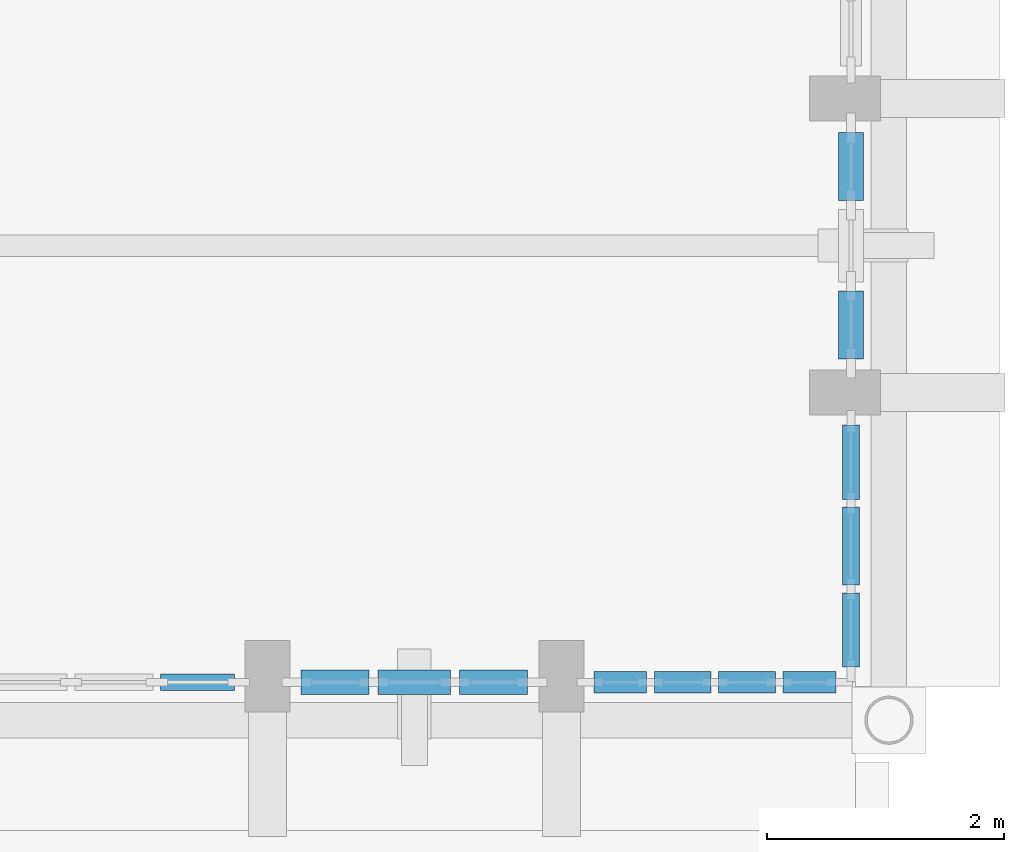
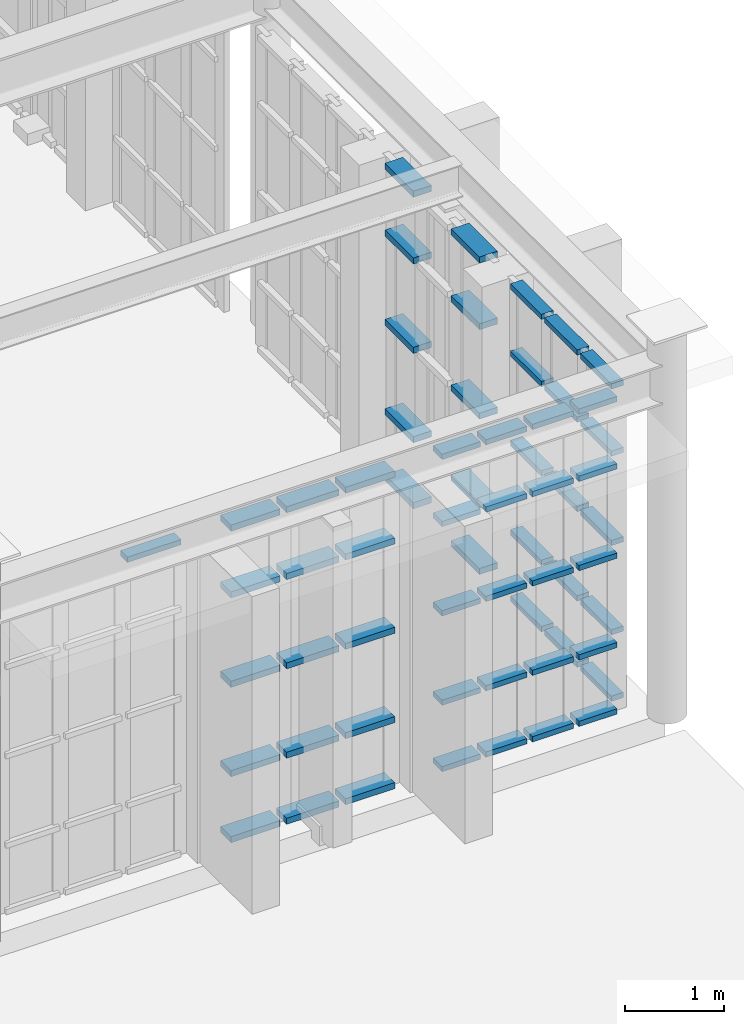
# One storey, part 77 of 155: 61 members, 5 elements without a shape of their own.
"""IFC4 building model written with IfcOpenShell, lengths in metres."""

from ifc_helpers import new_model, si_unit, direction, frame, origin, origin_2d, place, context, subcontext, project, spatial, rectangle, extrude, material, layer, layer_set, material_profile, profile_set, type_object, element, aggregate, save


model = new_model("IFC4")

# Units and contexts
model_context = context("Model", 3, precision=1e-05, world=origin(), true_north=direction((0.0, 1.0)))
body_context = subcontext(model_context, "Body", "Model", "MODEL_VIEW")
ifc_project = project(units=[si_unit("LENGTHUNIT", "METRE"), si_unit("AREAUNIT", "SQUARE_METRE"), si_unit("VOLUMEUNIT", "CUBIC_METRE"), si_unit("PLANEANGLEUNIT", "RADIAN"), si_unit("MASSUNIT", "GRAM", prefix="KILO")], contexts=[model_context])

# Site, building, storey
site_placement = place(None, origin())
site = spatial("IfcSite", under=ifc_project, at=site_placement, CompositionType="ELEMENT")
building_placement = place(site_placement, origin())
building = spatial("IfcBuilding", under=site, at=building_placement, Name="Tazarka Park Arena", CompositionType="ELEMENT")
storey_placement = place(building_placement, frame((0.0, 0.0, 5.39990234375)))
storey = spatial("IfcBuildingStorey", under=building, at=storey_placement, Name="L01", CompositionType="ELEMENT", Elevation=5.39990234375)

# Curtain wall, member
ifc_material_1 = material(Name="Aluminium and low-e glass", Category="aluminium")
ifc_layer_1 = layer(ifc_material_1, 0.179931640625, Name="Aluminium and low-e glass")
ifc_layer_set_1 = layer_set([ifc_layer_1], Name="Aluminium and low-e glass")
curtain_wall_type_1 = type_object("IfcCurtainWallType", Name="CW-03", PredefinedType="NOTDEFINED", material=ifc_layer_set_1)
curtain_wall_1_placement = place(storey_placement, origin())
curtain_wall_1 = element("IfcCurtainWall", 1, at=curtain_wall_1_placement, inside=storey, type_object=curtain_wall_type_1, Name="Curtain Wall CWA-L01-183", PredefinedType="NOTDEFINED")
ifc_material_2 = material(Name="Aluminium 6060-T66", Category="aluminium")
ifc_material_profile_1 = material_profile(ifc_material_2, rectangle(XDim=0.139892578125, YDim=0.06494140625, at=origin_2d()), Name="Aluminium 6060-T66")
ifc_profile_set_1 = profile_set([ifc_material_profile_1], Name="Aluminium 6060-T66")
member_type_1 = type_object("IfcMemberType", Name="CWT-01", PredefinedType="USERDEFINED", material=ifc_profile_set_1)
member_1_placement = place(storey_placement, frame((178.486083984375, 40.320068359375, 3.877685546875), z_axis=(-1.0, 0.0, 0.0), x_axis=(0.0, -1.0, 0.0)))
member_1 = element("IfcMember", 2, at=member_1_placement, type_object=member_type_1, Name="CW-03 transom 1.5", ObjectType="TRANSOM", PredefinedType="USERDEFINED", context=body_context, shape_type="SweptSolid", body=[
    extrude(rectangle(XDim=0.139892578125, YDim=0.06494140625, at=origin_2d()), origin(), (0.0, 0.0, 1.0), 0.625),
])
aggregate(curtain_wall_1, [member_1])

# Curtain wall, members
ifc_material_3 = material(Name="Aluminium and low-e glass", Category="aluminium")
ifc_layer_2 = layer(ifc_material_3, 0.179931640625, Name="Aluminium and low-e glass")
ifc_layer_set_2 = layer_set([ifc_layer_2], Name="Aluminium and low-e glass")
curtain_wall_type_2 = type_object("IfcCurtainWallType", Name="CW-06", PredefinedType="NOTDEFINED", material=ifc_layer_set_2)
curtain_wall_2_placement = place(storey_placement, origin())
curtain_wall_2 = element("IfcCurtainWall", 3, at=curtain_wall_2_placement, inside=storey, type_object=curtain_wall_type_2, Name="Curtain Wall CWA-L01-186", PredefinedType="NOTDEFINED")
member_2_placement = place(storey_placement, frame((183.679931640625, 42.486083984375, 0.03271484375), z_axis=(0.0, -1.0, 0.0), x_axis=(1.0, 0.0, 0.0)))
member_2 = element("IfcMember", 4, at=member_2_placement, type_object=member_type_1, Name="CW-06 transom 1.1", ObjectType="TRANSOM", PredefinedType="USERDEFINED", context=body_context, shape_type="SweptSolid", body=[
    extrude(rectangle(XDim=0.139892578125, YDim=0.06494140625, at=origin_2d()), origin(), (0.0, 0.0, 1.0), 0.625),
])
member_3_placement = place(storey_placement, frame((183.679931640625, 42.486083984375, 0.85009765625), z_axis=(0.0, -1.0, 0.0), x_axis=(1.0, 0.0, 0.0)))
member_3 = element("IfcMember", 5, at=member_3_placement, type_object=member_type_1, Name="CW-06 transom 1.2", ObjectType="TRANSOM", PredefinedType="USERDEFINED", context=body_context, shape_type="SweptSolid", body=[
    extrude(rectangle(XDim=0.139892578125, YDim=0.06494140625, at=origin_2d()), origin(), (0.0, 0.0, 1.0), 0.625),
])
member_4_placement = place(storey_placement, frame((183.679931640625, 42.486083984375, 1.9501953125), z_axis=(0.0, -1.0, 0.0), x_axis=(1.0, 0.0, 0.0)))
member_4 = element("IfcMember", 6, at=member_4_placement, type_object=member_type_1, Name="CW-06 transom 1.3", ObjectType="TRANSOM", PredefinedType="USERDEFINED", context=body_context, shape_type="SweptSolid", body=[
    extrude(rectangle(XDim=0.139892578125, YDim=0.06494140625, at=origin_2d()), origin(), (0.0, 0.0, 1.0), 0.625),
])
member_5_placement = place(storey_placement, frame((183.679931640625, 42.486083984375, 3.050048828125), z_axis=(0.0, -1.0, 0.0), x_axis=(1.0, 0.0, 0.0)))
member_5 = element("IfcMember", 7, at=member_5_placement, type_object=member_type_1, Name="CW-06 transom 1.4", ObjectType="TRANSOM", PredefinedType="USERDEFINED", context=body_context, shape_type="SweptSolid", body=[
    extrude(rectangle(XDim=0.139892578125, YDim=0.06494140625, at=origin_2d()), origin(), (0.0, 0.0, 1.0), 0.625),
])
member_6_placement = place(storey_placement, frame((183.679931640625, 42.486083984375, 3.877685546875), z_axis=(0.0, -1.0, 0.0), x_axis=(1.0, 0.0, 0.0)))
member_6 = element("IfcMember", 8, at=member_6_placement, type_object=member_type_1, Name="CW-06 transom 1.5", ObjectType="TRANSOM", PredefinedType="USERDEFINED", context=body_context, shape_type="SweptSolid", body=[
    extrude(rectangle(XDim=0.139892578125, YDim=0.06494140625, at=origin_2d()), origin(), (0.0, 0.0, 1.0), 0.625),
])
member_7_placement = place(storey_placement, frame((183.679931640625, 41.7958984375, 0.03271484375), z_axis=(0.0, -1.0, 0.0), x_axis=(1.0, 0.0, 0.0)))
member_7 = element("IfcMember", 9, at=member_7_placement, type_object=member_type_1, Name="CW-06 transom 2.1", ObjectType="TRANSOM", PredefinedType="USERDEFINED", context=body_context, shape_type="SweptSolid", body=[
    extrude(rectangle(XDim=0.139892578125, YDim=0.06494140625, at=origin_2d()), origin(), (0.0, 0.0, 1.0), 0.657470703125),
])
member_8_placement = place(storey_placement, frame((183.679931640625, 41.7958984375, 0.85009765625), z_axis=(0.0, -1.0, 0.0), x_axis=(1.0, 0.0, 0.0)))
member_8 = element("IfcMember", 10, at=member_8_placement, type_object=member_type_1, Name="CW-06 transom 2.2", ObjectType="TRANSOM", PredefinedType="USERDEFINED", context=body_context, shape_type="SweptSolid", body=[
    extrude(rectangle(XDim=0.139892578125, YDim=0.06494140625, at=origin_2d()), origin(), (0.0, 0.0, 1.0), 0.657470703125),
])
member_9_placement = place(storey_placement, frame((183.679931640625, 41.7958984375, 1.9501953125), z_axis=(0.0, -1.0, 0.0), x_axis=(1.0, 0.0, 0.0)))
member_9 = element("IfcMember", 11, at=member_9_placement, type_object=member_type_1, Name="CW-06 transom 2.3", ObjectType="TRANSOM", PredefinedType="USERDEFINED", context=body_context, shape_type="SweptSolid", body=[
    extrude(rectangle(XDim=0.139892578125, YDim=0.06494140625, at=origin_2d()), origin(), (0.0, 0.0, 1.0), 0.657470703125),
])
member_10_placement = place(storey_placement, frame((183.679931640625, 41.7958984375, 3.050048828125), z_axis=(0.0, -1.0, 0.0), x_axis=(1.0, 0.0, 0.0)))
member_10 = element("IfcMember", 12, at=member_10_placement, type_object=member_type_1, Name="CW-06 transom 2.4", ObjectType="TRANSOM", PredefinedType="USERDEFINED", context=body_context, shape_type="SweptSolid", body=[
    extrude(rectangle(XDim=0.139892578125, YDim=0.06494140625, at=origin_2d()), origin(), (0.0, 0.0, 1.0), 0.657470703125),
])
member_11_placement = place(storey_placement, frame((183.679931640625, 41.7958984375, 3.877685546875), z_axis=(0.0, -1.0, 0.0), x_axis=(1.0, 0.0, 0.0)))
member_11 = element("IfcMember", 13, at=member_11_placement, type_object=member_type_1, Name="CW-06 transom 2.5", ObjectType="TRANSOM", PredefinedType="USERDEFINED", context=body_context, shape_type="SweptSolid", body=[
    extrude(rectangle(XDim=0.139892578125, YDim=0.06494140625, at=origin_2d()), origin(), (0.0, 0.0, 1.0), 0.657470703125),
])
member_12_placement = place(storey_placement, frame((183.679931640625, 41.0732421875, 0.03271484375), z_axis=(0.0, -1.0, 0.0), x_axis=(1.0, 0.0, 0.0)))
member_12 = element("IfcMember", 14, at=member_12_placement, type_object=member_type_1, Name="CW-06 transom 3.1", ObjectType="TRANSOM", PredefinedType="USERDEFINED", context=body_context, shape_type="SweptSolid", body=[
    extrude(rectangle(XDim=0.139892578125, YDim=0.06494140625, at=origin_2d()), origin(), (0.0, 0.0, 1.0), 0.625),
])
member_13_placement = place(storey_placement, frame((183.679931640625, 41.0732421875, 0.85009765625), z_axis=(0.0, -1.0, 0.0), x_axis=(1.0, 0.0, 0.0)))
member_13 = element("IfcMember", 15, at=member_13_placement, type_object=member_type_1, Name="CW-06 transom 3.2", ObjectType="TRANSOM", PredefinedType="USERDEFINED", context=body_context, shape_type="SweptSolid", body=[
    extrude(rectangle(XDim=0.139892578125, YDim=0.06494140625, at=origin_2d()), origin(), (0.0, 0.0, 1.0), 0.625),
])
member_14_placement = place(storey_placement, frame((183.679931640625, 41.0732421875, 1.9501953125), z_axis=(0.0, -1.0, 0.0), x_axis=(1.0, 0.0, 0.0)))
member_14 = element("IfcMember", 16, at=member_14_placement, type_object=member_type_1, Name="CW-06 transom 3.3", ObjectType="TRANSOM", PredefinedType="USERDEFINED", context=body_context, shape_type="SweptSolid", body=[
    extrude(rectangle(XDim=0.139892578125, YDim=0.06494140625, at=origin_2d()), origin(), (0.0, 0.0, 1.0), 0.625),
])
member_15_placement = place(storey_placement, frame((183.679931640625, 41.0732421875, 3.050048828125), z_axis=(0.0, -1.0, 0.0), x_axis=(1.0, 0.0, 0.0)))
member_15 = element("IfcMember", 17, at=member_15_placement, type_object=member_type_1, Name="CW-06 transom 3.4", ObjectType="TRANSOM", PredefinedType="USERDEFINED", context=body_context, shape_type="SweptSolid", body=[
    extrude(rectangle(XDim=0.139892578125, YDim=0.06494140625, at=origin_2d()), origin(), (0.0, 0.0, 1.0), 0.625),
])
member_16_placement = place(storey_placement, frame((183.679931640625, 41.0732421875, 3.877685546875), z_axis=(0.0, -1.0, 0.0), x_axis=(1.0, 0.0, 0.0)))
member_16 = element("IfcMember", 18, at=member_16_placement, type_object=member_type_1, Name="CW-06 transom 3.5", ObjectType="TRANSOM", PredefinedType="USERDEFINED", context=body_context, shape_type="SweptSolid", body=[
    extrude(rectangle(XDim=0.139892578125, YDim=0.06494140625, at=origin_2d()), origin(), (0.0, 0.0, 1.0), 0.625),
])
aggregate(curtain_wall_2, [member_2, member_3, member_4, member_5, member_6, member_7, member_8, member_9, member_10, member_11, member_12, member_13, member_14, member_15, member_16])

ifc_material_4 = material(Name="Aluminium and low-e glass", Category="aluminium")
ifc_layer_3 = layer(ifc_material_4, 0.179931640625, Name="Aluminium and low-e glass")
ifc_layer_set_3 = layer_set([ifc_layer_3], Name="Aluminium and low-e glass")
curtain_wall_type_3 = type_object("IfcCurtainWallType", Name="CW-01", PredefinedType="NOTDEFINED", material=ifc_layer_set_3)
curtain_wall_3_placement = place(storey_placement, origin())
curtain_wall_3 = element("IfcCurtainWall", 19, at=curtain_wall_3_placement, inside=storey, type_object=curtain_wall_type_3, Name="Curtain Wall CWA-L01-181", PredefinedType="NOTDEFINED")
ifc_material_5 = material(Name="Aluminium 6060-T66", Category="aluminium")
ifc_material_profile_2 = material_profile(ifc_material_5, rectangle(XDim=0.179931640625, YDim=0.06494140625, at=origin_2d()), Name="Aluminium 6060-T66")
ifc_profile_set_2 = profile_set([ifc_material_profile_2], Name="Aluminium 6060-T66")
member_type_2 = type_object("IfcMemberType", Name="CWT-02", PredefinedType="USERDEFINED", material=ifc_profile_set_2)
member_17_placement = place(storey_placement, frame((183.5517578125, 40.320068359375, 0.03271484375), z_axis=(-1.0, 0.0, 0.0), x_axis=(0.0, -1.0, 0.0)))
member_17 = element("IfcMember", 20, at=member_17_placement, type_object=member_type_2, Name="CW-01 transom 1.1", ObjectType="TRANSOM", PredefinedType="USERDEFINED", context=body_context, shape_type="SweptSolid", body=[
    extrude(rectangle(XDim=0.179931640625, YDim=0.06494140625, at=origin_2d()), origin(), (0.0, 0.0, 1.0), 0.4443359375),
])
member_18_placement = place(storey_placement, frame((183.5517578125, 40.320068359375, 0.85009765625), z_axis=(-1.0, 0.0, 0.0), x_axis=(0.0, -1.0, 0.0)))
member_18 = element("IfcMember", 21, at=member_18_placement, type_object=member_type_2, Name="CW-01 transom 1.2", ObjectType="TRANSOM", PredefinedType="USERDEFINED", context=body_context, shape_type="SweptSolid", body=[
    extrude(rectangle(XDim=0.179931640625, YDim=0.06494140625, at=origin_2d()), origin(), (0.0, 0.0, 1.0), 0.4443359375),
])
member_19_placement = place(storey_placement, frame((183.5517578125, 40.320068359375, 1.9501953125), z_axis=(-1.0, 0.0, 0.0), x_axis=(0.0, -1.0, 0.0)))
member_19 = element("IfcMember", 22, at=member_19_placement, type_object=member_type_2, Name="CW-01 transom 1.3", ObjectType="TRANSOM", PredefinedType="USERDEFINED", context=body_context, shape_type="SweptSolid", body=[
    extrude(rectangle(XDim=0.179931640625, YDim=0.06494140625, at=origin_2d()), origin(), (0.0, 0.0, 1.0), 0.4443359375),
])
member_20_placement = place(storey_placement, frame((183.5517578125, 40.320068359375, 3.050048828125), z_axis=(-1.0, 0.0, 0.0), x_axis=(0.0, -1.0, 0.0)))
member_20 = element("IfcMember", 23, at=member_20_placement, type_object=member_type_2, Name="CW-01 transom 1.4", ObjectType="TRANSOM", PredefinedType="USERDEFINED", context=body_context, shape_type="SweptSolid", body=[
    extrude(rectangle(XDim=0.179931640625, YDim=0.06494140625, at=origin_2d()), origin(), (0.0, 0.0, 1.0), 0.4443359375),
])
member_21_placement = place(storey_placement, frame((183.5517578125, 40.320068359375, 3.877685546875), z_axis=(-1.0, 0.0, 0.0), x_axis=(0.0, -1.0, 0.0)))
member_21 = element("IfcMember", 24, at=member_21_placement, type_object=member_type_2, Name="CW-01 transom 1.5", ObjectType="TRANSOM", PredefinedType="USERDEFINED", context=body_context, shape_type="SweptSolid", body=[
    extrude(rectangle(XDim=0.179931640625, YDim=0.06494140625, at=origin_2d()), origin(), (0.0, 0.0, 1.0), 0.4443359375),
])
member_22_placement = place(storey_placement, frame((183.042236328125, 40.320068359375, 0.03271484375), z_axis=(-1.0, 0.0, 0.0), x_axis=(0.0, -1.0, 0.0)))
member_22 = element("IfcMember", 25, at=member_22_placement, type_object=member_type_2, Name="CW-01 transom 2.1", ObjectType="TRANSOM", PredefinedType="USERDEFINED", context=body_context, shape_type="SweptSolid", body=[
    extrude(rectangle(XDim=0.179931640625, YDim=0.06494140625, at=origin_2d()), origin(), (0.0, 0.0, 1.0), 0.476806640625),
])
member_23_placement = place(storey_placement, frame((183.042236328125, 40.320068359375, 0.85009765625), z_axis=(-1.0, 0.0, 0.0), x_axis=(0.0, -1.0, 0.0)))
member_23 = element("IfcMember", 26, at=member_23_placement, type_object=member_type_2, Name="CW-01 transom 2.2", ObjectType="TRANSOM", PredefinedType="USERDEFINED", context=body_context, shape_type="SweptSolid", body=[
    extrude(rectangle(XDim=0.179931640625, YDim=0.06494140625, at=origin_2d()), origin(), (0.0, 0.0, 1.0), 0.476806640625),
])
member_24_placement = place(storey_placement, frame((183.042236328125, 40.320068359375, 1.9501953125), z_axis=(-1.0, 0.0, 0.0), x_axis=(0.0, -1.0, 0.0)))
member_24 = element("IfcMember", 27, at=member_24_placement, type_object=member_type_2, Name="CW-01 transom 2.3", ObjectType="TRANSOM", PredefinedType="USERDEFINED", context=body_context, shape_type="SweptSolid", body=[
    extrude(rectangle(XDim=0.179931640625, YDim=0.06494140625, at=origin_2d()), origin(), (0.0, 0.0, 1.0), 0.476806640625),
])
member_25_placement = place(storey_placement, frame((183.042236328125, 40.320068359375, 3.050048828125), z_axis=(-1.0, 0.0, 0.0), x_axis=(0.0, -1.0, 0.0)))
member_25 = element("IfcMember", 28, at=member_25_placement, type_object=member_type_2, Name="CW-01 transom 2.4", ObjectType="TRANSOM", PredefinedType="USERDEFINED", context=body_context, shape_type="SweptSolid", body=[
    extrude(rectangle(XDim=0.179931640625, YDim=0.06494140625, at=origin_2d()), origin(), (0.0, 0.0, 1.0), 0.476806640625),
])
member_26_placement = place(storey_placement, frame((183.042236328125, 40.320068359375, 3.877685546875), z_axis=(-1.0, 0.0, 0.0), x_axis=(0.0, -1.0, 0.0)))
member_26 = element("IfcMember", 29, at=member_26_placement, type_object=member_type_2, Name="CW-01 transom 2.5", ObjectType="TRANSOM", PredefinedType="USERDEFINED", context=body_context, shape_type="SweptSolid", body=[
    extrude(rectangle(XDim=0.179931640625, YDim=0.06494140625, at=origin_2d()), origin(), (0.0, 0.0, 1.0), 0.476806640625),
])
member_27_placement = place(storey_placement, frame((182.500244140625, 40.320068359375, 0.03271484375), z_axis=(-1.0, 0.0, 0.0), x_axis=(0.0, -1.0, 0.0)))
member_27 = element("IfcMember", 30, at=member_27_placement, type_object=member_type_2, Name="CW-01 transom 3.1", ObjectType="TRANSOM", PredefinedType="USERDEFINED", context=body_context, shape_type="SweptSolid", body=[
    extrude(rectangle(XDim=0.179931640625, YDim=0.06494140625, at=origin_2d()), origin(), (0.0, 0.0, 1.0), 0.476806640625),
])
member_28_placement = place(storey_placement, frame((182.500244140625, 40.320068359375, 0.85009765625), z_axis=(-1.0, 0.0, 0.0), x_axis=(0.0, -1.0, 0.0)))
member_28 = element("IfcMember", 31, at=member_28_placement, type_object=member_type_2, Name="CW-01 transom 3.2", ObjectType="TRANSOM", PredefinedType="USERDEFINED", context=body_context, shape_type="SweptSolid", body=[
    extrude(rectangle(XDim=0.179931640625, YDim=0.06494140625, at=origin_2d()), origin(), (0.0, 0.0, 1.0), 0.476806640625),
])
member_29_placement = place(storey_placement, frame((182.500244140625, 40.320068359375, 1.9501953125), z_axis=(-1.0, 0.0, 0.0), x_axis=(0.0, -1.0, 0.0)))
member_29 = element("IfcMember", 32, at=member_29_placement, type_object=member_type_2, Name="CW-01 transom 3.3", ObjectType="TRANSOM", PredefinedType="USERDEFINED", context=body_context, shape_type="SweptSolid", body=[
    extrude(rectangle(XDim=0.179931640625, YDim=0.06494140625, at=origin_2d()), origin(), (0.0, 0.0, 1.0), 0.476806640625),
])
member_30_placement = place(storey_placement, frame((182.500244140625, 40.320068359375, 3.050048828125), z_axis=(-1.0, 0.0, 0.0), x_axis=(0.0, -1.0, 0.0)))
member_30 = element("IfcMember", 33, at=member_30_placement, type_object=member_type_2, Name="CW-01 transom 3.4", ObjectType="TRANSOM", PredefinedType="USERDEFINED", context=body_context, shape_type="SweptSolid", body=[
    extrude(rectangle(XDim=0.179931640625, YDim=0.06494140625, at=origin_2d()), origin(), (0.0, 0.0, 1.0), 0.476806640625),
])
member_31_placement = place(storey_placement, frame((182.500244140625, 40.320068359375, 3.877685546875), z_axis=(-1.0, 0.0, 0.0), x_axis=(0.0, -1.0, 0.0)))
member_31 = element("IfcMember", 34, at=member_31_placement, type_object=member_type_2, Name="CW-01 transom 3.5", ObjectType="TRANSOM", PredefinedType="USERDEFINED", context=body_context, shape_type="SweptSolid", body=[
    extrude(rectangle(XDim=0.179931640625, YDim=0.06494140625, at=origin_2d()), origin(), (0.0, 0.0, 1.0), 0.476806640625),
])
member_32_placement = place(storey_placement, frame((181.95849609375, 40.320068359375, 0.03271484375), z_axis=(-1.0, 0.0, 0.0), x_axis=(0.0, -1.0, 0.0)))
member_32 = element("IfcMember", 35, at=member_32_placement, type_object=member_type_2, Name="CW-01 transom 4.1", ObjectType="TRANSOM", PredefinedType="USERDEFINED", context=body_context, shape_type="SweptSolid", body=[
    extrude(rectangle(XDim=0.179931640625, YDim=0.06494140625, at=origin_2d()), origin(), (0.0, 0.0, 1.0), 0.444580078125),
])
member_33_placement = place(storey_placement, frame((181.95849609375, 40.320068359375, 0.85009765625), z_axis=(-1.0, 0.0, 0.0), x_axis=(0.0, -1.0, 0.0)))
member_33 = element("IfcMember", 36, at=member_33_placement, type_object=member_type_2, Name="CW-01 transom 4.2", ObjectType="TRANSOM", PredefinedType="USERDEFINED", context=body_context, shape_type="SweptSolid", body=[
    extrude(rectangle(XDim=0.179931640625, YDim=0.06494140625, at=origin_2d()), origin(), (0.0, 0.0, 1.0), 0.444580078125),
])
member_34_placement = place(storey_placement, frame((181.95849609375, 40.320068359375, 1.9501953125), z_axis=(-1.0, 0.0, 0.0), x_axis=(0.0, -1.0, 0.0)))
member_34 = element("IfcMember", 37, at=member_34_placement, type_object=member_type_2, Name="CW-01 transom 4.3", ObjectType="TRANSOM", PredefinedType="USERDEFINED", context=body_context, shape_type="SweptSolid", body=[
    extrude(rectangle(XDim=0.179931640625, YDim=0.06494140625, at=origin_2d()), origin(), (0.0, 0.0, 1.0), 0.444580078125),
])
member_35_placement = place(storey_placement, frame((181.95849609375, 40.320068359375, 3.050048828125), z_axis=(-1.0, 0.0, 0.0), x_axis=(0.0, -1.0, 0.0)))
member_35 = element("IfcMember", 38, at=member_35_placement, type_object=member_type_2, Name="CW-01 transom 4.4", ObjectType="TRANSOM", PredefinedType="USERDEFINED", context=body_context, shape_type="SweptSolid", body=[
    extrude(rectangle(XDim=0.179931640625, YDim=0.06494140625, at=origin_2d()), origin(), (0.0, 0.0, 1.0), 0.444580078125),
])
member_36_placement = place(storey_placement, frame((181.95849609375, 40.320068359375, 3.877685546875), z_axis=(-1.0, 0.0, 0.0), x_axis=(0.0, -1.0, 0.0)))
member_36 = element("IfcMember", 39, at=member_36_placement, type_object=member_type_2, Name="CW-01 transom 4.5", ObjectType="TRANSOM", PredefinedType="USERDEFINED", context=body_context, shape_type="SweptSolid", body=[
    extrude(rectangle(XDim=0.179931640625, YDim=0.06494140625, at=origin_2d()), origin(), (0.0, 0.0, 1.0), 0.444580078125),
])
aggregate(curtain_wall_3, [member_17, member_18, member_19, member_20, member_21, member_22, member_23, member_24, member_25, member_26, member_27, member_28, member_29, member_30, member_31, member_32, member_33, member_34, member_35, member_36])

ifc_material_6 = material(Name="Aluminium and low-e glass", Category="aluminium")
ifc_layer_4 = layer(ifc_material_6, 0.179931640625, Name="Aluminium and low-e glass")
ifc_layer_set_4 = layer_set([ifc_layer_4], Name="Aluminium and low-e glass")
curtain_wall_type_4 = type_object("IfcCurtainWallType", Name="CW-02", PredefinedType="NOTDEFINED", material=ifc_layer_set_4)
curtain_wall_4_placement = place(storey_placement, origin())
curtain_wall_4 = element("IfcCurtainWall", 40, at=curtain_wall_4_placement, inside=storey, type_object=curtain_wall_type_4, Name="Curtain Wall CWA-L01-182", PredefinedType="NOTDEFINED")
ifc_material_7 = material(Name="Aluminium 6060-T66", Category="aluminium")
ifc_material_profile_3 = material_profile(ifc_material_7, rectangle(XDim=0.2099609375, YDim=0.074951171875, at=origin_2d()), Name="Aluminium 6060-T66")
ifc_profile_set_3 = profile_set([ifc_material_profile_3], Name="Aluminium 6060-T66")
member_type_3 = type_object("IfcMemberType", Name="CWT-03", PredefinedType="USERDEFINED", material=ifc_profile_set_3)
member_37_placement = place(storey_placement, frame((180.953857421875, 40.320068359375, 0.03759765625), z_axis=(-1.0, 0.0, 0.0), x_axis=(0.0, -1.0, 0.0)))
member_37 = element("IfcMember", 41, at=member_37_placement, type_object=member_type_3, Name="CW-02 transom 1.1", ObjectType="TRANSOM", PredefinedType="USERDEFINED", context=body_context, shape_type="SweptSolid", body=[
    extrude(rectangle(XDim=0.2099609375, YDim=0.074951171875, at=origin_2d()), origin(), (0.0, 0.0, 1.0), 0.573486328125),
])
member_38_placement = place(storey_placement, frame((180.953857421875, 40.320068359375, 0.85009765625), z_axis=(-1.0, 0.0, 0.0), x_axis=(0.0, -1.0, 0.0)))
member_38 = element("IfcMember", 42, at=member_38_placement, type_object=member_type_3, Name="CW-02 transom 1.2", ObjectType="TRANSOM", PredefinedType="USERDEFINED", context=body_context, shape_type="SweptSolid", body=[
    extrude(rectangle(XDim=0.2099609375, YDim=0.074951171875, at=origin_2d()), origin(), (0.0, 0.0, 1.0), 0.573486328125),
])
member_39_placement = place(storey_placement, frame((180.953857421875, 40.320068359375, 1.9501953125), z_axis=(-1.0, 0.0, 0.0), x_axis=(0.0, -1.0, 0.0)))
member_39 = element("IfcMember", 43, at=member_39_placement, type_object=member_type_3, Name="CW-02 transom 1.3", ObjectType="TRANSOM", PredefinedType="USERDEFINED", context=body_context, shape_type="SweptSolid", body=[
    extrude(rectangle(XDim=0.2099609375, YDim=0.074951171875, at=origin_2d()), origin(), (0.0, 0.0, 1.0), 0.573486328125),
])
member_40_placement = place(storey_placement, frame((180.953857421875, 40.320068359375, 3.050048828125), z_axis=(-1.0, 0.0, 0.0), x_axis=(0.0, -1.0, 0.0)))
member_40 = element("IfcMember", 44, at=member_40_placement, type_object=member_type_3, Name="CW-02 transom 1.4", ObjectType="TRANSOM", PredefinedType="USERDEFINED", context=body_context, shape_type="SweptSolid", body=[
    extrude(rectangle(XDim=0.2099609375, YDim=0.074951171875, at=origin_2d()), origin(), (0.0, 0.0, 1.0), 0.573486328125),
])
member_41_placement = place(storey_placement, frame((180.953857421875, 40.320068359375, 3.87255859375), z_axis=(-1.0, 0.0, 0.0), x_axis=(0.0, -1.0, 0.0)))
member_41 = element("IfcMember", 45, at=member_41_placement, type_object=member_type_3, Name="CW-02 transom 1.5", ObjectType="TRANSOM", PredefinedType="USERDEFINED", context=body_context, shape_type="SweptSolid", body=[
    extrude(rectangle(XDim=0.2099609375, YDim=0.074951171875, at=origin_2d()), origin(), (0.0, 0.0, 1.0), 0.573486328125),
])
member_42_placement = place(storey_placement, frame((180.305419921875, 40.320068359375, 0.03759765625), z_axis=(-1.0, 0.0, 0.0), x_axis=(0.0, -1.0, 0.0)))
member_42 = element("IfcMember", 46, at=member_42_placement, type_object=member_type_3, Name="CW-02 transom 2.1", ObjectType="TRANSOM", PredefinedType="USERDEFINED", context=body_context, shape_type="SweptSolid", body=[
    extrude(rectangle(XDim=0.2099609375, YDim=0.074951171875, at=origin_2d()), origin(), (0.0, 0.0, 1.0), 0.61083984375),
])
member_43_placement = place(storey_placement, frame((180.305419921875, 40.320068359375, 0.85009765625), z_axis=(-1.0, 0.0, 0.0), x_axis=(0.0, -1.0, 0.0)))
member_43 = element("IfcMember", 47, at=member_43_placement, type_object=member_type_3, Name="CW-02 transom 2.2", ObjectType="TRANSOM", PredefinedType="USERDEFINED", context=body_context, shape_type="SweptSolid", body=[
    extrude(rectangle(XDim=0.2099609375, YDim=0.074951171875, at=origin_2d()), origin(), (0.0, 0.0, 1.0), 0.61083984375),
])
member_44_placement = place(storey_placement, frame((180.305419921875, 40.320068359375, 1.9501953125), z_axis=(-1.0, 0.0, 0.0), x_axis=(0.0, -1.0, 0.0)))
member_44 = element("IfcMember", 48, at=member_44_placement, type_object=member_type_3, Name="CW-02 transom 2.3", ObjectType="TRANSOM", PredefinedType="USERDEFINED", context=body_context, shape_type="SweptSolid", body=[
    extrude(rectangle(XDim=0.2099609375, YDim=0.074951171875, at=origin_2d()), origin(), (0.0, 0.0, 1.0), 0.61083984375),
])
member_45_placement = place(storey_placement, frame((180.305419921875, 40.320068359375, 3.050048828125), z_axis=(-1.0, 0.0, 0.0), x_axis=(0.0, -1.0, 0.0)))
member_45 = element("IfcMember", 49, at=member_45_placement, type_object=member_type_3, Name="CW-02 transom 2.4", ObjectType="TRANSOM", PredefinedType="USERDEFINED", context=body_context, shape_type="SweptSolid", body=[
    extrude(rectangle(XDim=0.2099609375, YDim=0.074951171875, at=origin_2d()), origin(), (0.0, 0.0, 1.0), 0.61083984375),
])
member_46_placement = place(storey_placement, frame((180.305419921875, 40.320068359375, 3.87255859375), z_axis=(-1.0, 0.0, 0.0), x_axis=(0.0, -1.0, 0.0)))
member_46 = element("IfcMember", 50, at=member_46_placement, type_object=member_type_3, Name="CW-02 transom 2.5", ObjectType="TRANSOM", PredefinedType="USERDEFINED", context=body_context, shape_type="SweptSolid", body=[
    extrude(rectangle(XDim=0.2099609375, YDim=0.074951171875, at=origin_2d()), origin(), (0.0, 0.0, 1.0), 0.61083984375),
])
member_47_placement = place(storey_placement, frame((179.61962890625, 40.320068359375, 0.03759765625), z_axis=(-1.0, 0.0, 0.0), x_axis=(0.0, -1.0, 0.0)))
member_47 = element("IfcMember", 51, at=member_47_placement, type_object=member_type_3, Name="CW-02 transom 3.1", ObjectType="TRANSOM", PredefinedType="USERDEFINED", context=body_context, shape_type="SweptSolid", body=[
    extrude(rectangle(XDim=0.2099609375, YDim=0.074951171875, at=origin_2d()), origin(), (0.0, 0.0, 1.0), 0.573486328125),
])
member_48_placement = place(storey_placement, frame((179.61962890625, 40.320068359375, 0.85009765625), z_axis=(-1.0, 0.0, 0.0), x_axis=(0.0, -1.0, 0.0)))
member_48 = element("IfcMember", 52, at=member_48_placement, type_object=member_type_3, Name="CW-02 transom 3.2", ObjectType="TRANSOM", PredefinedType="USERDEFINED", context=body_context, shape_type="SweptSolid", body=[
    extrude(rectangle(XDim=0.2099609375, YDim=0.074951171875, at=origin_2d()), origin(), (0.0, 0.0, 1.0), 0.573486328125),
])
member_49_placement = place(storey_placement, frame((179.61962890625, 40.320068359375, 1.9501953125), z_axis=(-1.0, 0.0, 0.0), x_axis=(0.0, -1.0, 0.0)))
member_49 = element("IfcMember", 53, at=member_49_placement, type_object=member_type_3, Name="CW-02 transom 3.3", ObjectType="TRANSOM", PredefinedType="USERDEFINED", context=body_context, shape_type="SweptSolid", body=[
    extrude(rectangle(XDim=0.2099609375, YDim=0.074951171875, at=origin_2d()), origin(), (0.0, 0.0, 1.0), 0.573486328125),
])
member_50_placement = place(storey_placement, frame((179.61962890625, 40.320068359375, 3.050048828125), z_axis=(-1.0, 0.0, 0.0), x_axis=(0.0, -1.0, 0.0)))
member_50 = element("IfcMember", 54, at=member_50_placement, type_object=member_type_3, Name="CW-02 transom 3.4", ObjectType="TRANSOM", PredefinedType="USERDEFINED", context=body_context, shape_type="SweptSolid", body=[
    extrude(rectangle(XDim=0.2099609375, YDim=0.074951171875, at=origin_2d()), origin(), (0.0, 0.0, 1.0), 0.573486328125),
])
member_51_placement = place(storey_placement, frame((179.61962890625, 40.320068359375, 3.87255859375), z_axis=(-1.0, 0.0, 0.0), x_axis=(0.0, -1.0, 0.0)))
member_51 = element("IfcMember", 55, at=member_51_placement, type_object=member_type_3, Name="CW-02 transom 3.5", ObjectType="TRANSOM", PredefinedType="USERDEFINED", context=body_context, shape_type="SweptSolid", body=[
    extrude(rectangle(XDim=0.2099609375, YDim=0.074951171875, at=origin_2d()), origin(), (0.0, 0.0, 1.0), 0.573486328125),
])
aggregate(curtain_wall_4, [member_37, member_38, member_39, member_40, member_41, member_42, member_43, member_44, member_45, member_46, member_47, member_48, member_49, member_50, member_51])

ifc_material_8 = material(Name="Aluminium and low-e glass", Category="aluminium")
ifc_layer_5 = layer(ifc_material_8, 0.179931640625, Name="Aluminium and low-e glass")
ifc_layer_set_5 = layer_set([ifc_layer_5], Name="Aluminium and low-e glass")
curtain_wall_type_5 = type_object("IfcCurtainWallType", Name="CW-05", PredefinedType="NOTDEFINED", material=ifc_layer_set_5)
curtain_wall_5_placement = place(storey_placement, origin())
curtain_wall_5 = element("IfcCurtainWall", 56, at=curtain_wall_5_placement, inside=storey, type_object=curtain_wall_type_5, Name="Curtain Wall CWA-L01-185", PredefinedType="NOTDEFINED")
member_52_placement = place(storey_placement, frame((183.679931640625, 44.953857421875, 0.03759765625), z_axis=(0.0, -1.0, 0.0), x_axis=(1.0, 0.0, 0.0)))
member_52 = element("IfcMember", 57, at=member_52_placement, type_object=member_type_3, Name="CW-05 transom 1.1", ObjectType="TRANSOM", PredefinedType="USERDEFINED", context=body_context, shape_type="SweptSolid", body=[
    extrude(rectangle(XDim=0.2099609375, YDim=0.074951171875, at=origin_2d()), origin(), (0.0, 0.0, 1.0), 0.573486328125),
])
member_53_placement = place(storey_placement, frame((183.679931640625, 44.953857421875, 0.85009765625), z_axis=(0.0, -1.0, 0.0), x_axis=(1.0, 0.0, 0.0)))
member_53 = element("IfcMember", 58, at=member_53_placement, type_object=member_type_3, Name="CW-05 transom 1.2", ObjectType="TRANSOM", PredefinedType="USERDEFINED", context=body_context, shape_type="SweptSolid", body=[
    extrude(rectangle(XDim=0.2099609375, YDim=0.074951171875, at=origin_2d()), origin(), (0.0, 0.0, 1.0), 0.573486328125),
])
member_54_placement = place(storey_placement, frame((183.679931640625, 44.953857421875, 1.9501953125), z_axis=(0.0, -1.0, 0.0), x_axis=(1.0, 0.0, 0.0)))
member_54 = element("IfcMember", 59, at=member_54_placement, type_object=member_type_3, Name="CW-05 transom 1.3", ObjectType="TRANSOM", PredefinedType="USERDEFINED", context=body_context, shape_type="SweptSolid", body=[
    extrude(rectangle(XDim=0.2099609375, YDim=0.074951171875, at=origin_2d()), origin(), (0.0, 0.0, 1.0), 0.573486328125),
])
member_55_placement = place(storey_placement, frame((183.679931640625, 44.953857421875, 3.050048828125), z_axis=(0.0, -1.0, 0.0), x_axis=(1.0, 0.0, 0.0)))
member_55 = element("IfcMember", 60, at=member_55_placement, type_object=member_type_3, Name="CW-05 transom 1.4", ObjectType="TRANSOM", PredefinedType="USERDEFINED", context=body_context, shape_type="SweptSolid", body=[
    extrude(rectangle(XDim=0.2099609375, YDim=0.074951171875, at=origin_2d()), origin(), (0.0, 0.0, 1.0), 0.573486328125),
])
member_56_placement = place(storey_placement, frame((183.679931640625, 44.953857421875, 3.87255859375), z_axis=(0.0, -1.0, 0.0), x_axis=(1.0, 0.0, 0.0)))
member_56 = element("IfcMember", 61, at=member_56_placement, type_object=member_type_3, Name="CW-05 transom 1.5", ObjectType="TRANSOM", PredefinedType="USERDEFINED", context=body_context, shape_type="SweptSolid", body=[
    extrude(rectangle(XDim=0.2099609375, YDim=0.074951171875, at=origin_2d()), origin(), (0.0, 0.0, 1.0), 0.573486328125),
])
member_57_placement = place(storey_placement, frame((183.679931640625, 43.61962890625, 0.03759765625), z_axis=(0.0, -1.0, 0.0), x_axis=(1.0, 0.0, 0.0)))
member_57 = element("IfcMember", 62, at=member_57_placement, type_object=member_type_3, Name="CW-05 transom 3.1", ObjectType="TRANSOM", PredefinedType="USERDEFINED", context=body_context, shape_type="SweptSolid", body=[
    extrude(rectangle(XDim=0.2099609375, YDim=0.074951171875, at=origin_2d()), origin(), (0.0, 0.0, 1.0), 0.573486328125),
])
member_58_placement = place(storey_placement, frame((183.679931640625, 43.61962890625, 0.85009765625), z_axis=(0.0, -1.0, 0.0), x_axis=(1.0, 0.0, 0.0)))
member_58 = element("IfcMember", 63, at=member_58_placement, type_object=member_type_3, Name="CW-05 transom 3.2", ObjectType="TRANSOM", PredefinedType="USERDEFINED", context=body_context, shape_type="SweptSolid", body=[
    extrude(rectangle(XDim=0.2099609375, YDim=0.074951171875, at=origin_2d()), origin(), (0.0, 0.0, 1.0), 0.573486328125),
])
member_59_placement = place(storey_placement, frame((183.679931640625, 43.61962890625, 1.9501953125), z_axis=(0.0, -1.0, 0.0), x_axis=(1.0, 0.0, 0.0)))
member_59 = element("IfcMember", 64, at=member_59_placement, type_object=member_type_3, Name="CW-05 transom 3.3", ObjectType="TRANSOM", PredefinedType="USERDEFINED", context=body_context, shape_type="SweptSolid", body=[
    extrude(rectangle(XDim=0.2099609375, YDim=0.074951171875, at=origin_2d()), origin(), (0.0, 0.0, 1.0), 0.573486328125),
])
member_60_placement = place(storey_placement, frame((183.679931640625, 43.61962890625, 3.050048828125), z_axis=(0.0, -1.0, 0.0), x_axis=(1.0, 0.0, 0.0)))
member_60 = element("IfcMember", 65, at=member_60_placement, type_object=member_type_3, Name="CW-05 transom 3.4", ObjectType="TRANSOM", PredefinedType="USERDEFINED", context=body_context, shape_type="SweptSolid", body=[
    extrude(rectangle(XDim=0.2099609375, YDim=0.074951171875, at=origin_2d()), origin(), (0.0, 0.0, 1.0), 0.573486328125),
])
member_61_placement = place(storey_placement, frame((183.679931640625, 43.61962890625, 3.87255859375), z_axis=(0.0, -1.0, 0.0), x_axis=(1.0, 0.0, 0.0)))
member_61 = element("IfcMember", 66, at=member_61_placement, type_object=member_type_3, Name="CW-05 transom 3.5", ObjectType="TRANSOM", PredefinedType="USERDEFINED", context=body_context, shape_type="SweptSolid", body=[
    extrude(rectangle(XDim=0.2099609375, YDim=0.074951171875, at=origin_2d()), origin(), (0.0, 0.0, 1.0), 0.573486328125),
])
aggregate(curtain_wall_5, [member_52, member_53, member_54, member_55, member_56, member_57, member_58, member_59, member_60, member_61])

save(model, "model.ifc")
